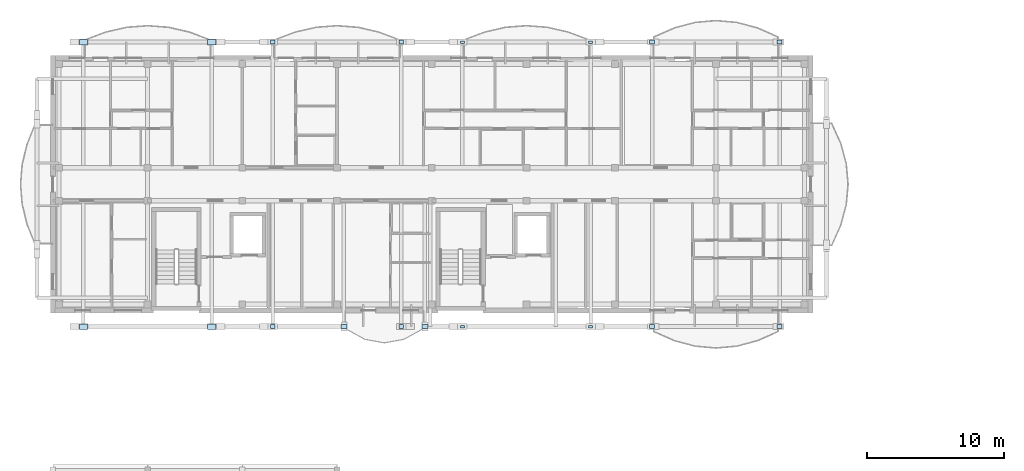
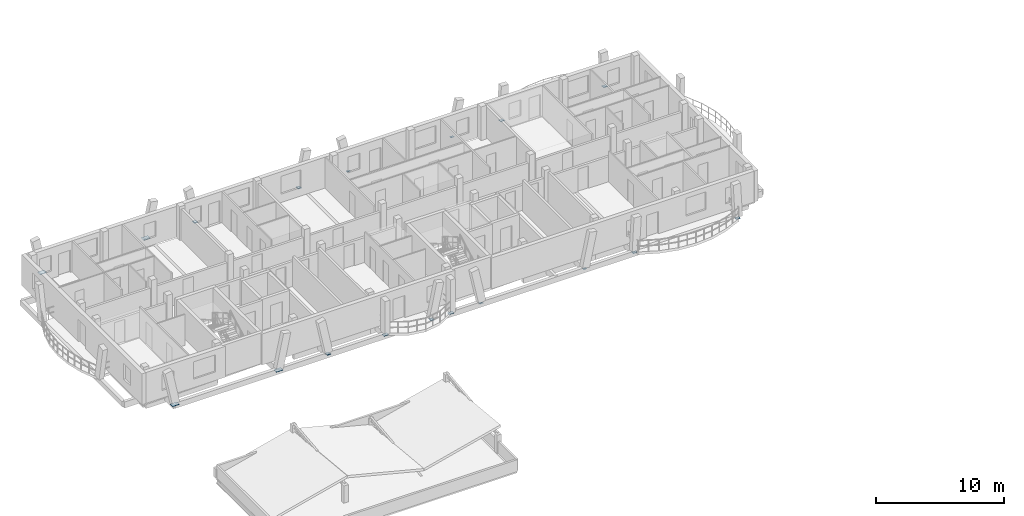
# One storey, part 13 of 50: 18 plates.
"""IFC4 building model written with IfcOpenShell, lengths in metres."""

from ifc_helpers import new_model, si_unit, direction, frame, origin, origin_2d, place, context, subcontext, project, spatial, rectangle, extrude, material, layer, layer_set, type_object, element, save


model = new_model("IFC4")

# Units and contexts
model_context = context("Model", 3, precision=1e-05, world=origin(), true_north=direction((0.0, 1.0)))
body_context = subcontext(model_context, "Body", "Model", "MODEL_VIEW")
ifc_project = project(units=[si_unit("LENGTHUNIT", "METRE"), si_unit("AREAUNIT", "SQUARE_METRE"), si_unit("VOLUMEUNIT", "CUBIC_METRE"), si_unit("PLANEANGLEUNIT", "RADIAN"), si_unit("MASSUNIT", "GRAM", prefix="KILO")], contexts=[model_context])

# Site, building, storey
site_placement = place(None, origin())
site = spatial("IfcSite", under=ifc_project, at=site_placement, CompositionType="ELEMENT")
building_placement = place(site_placement, origin())
building = spatial("IfcBuilding", under=site, at=building_placement, Name="Zavelmont Quarter", CompositionType="ELEMENT")
storey_placement = place(building_placement, frame((0.0, 0.0, 11.199951171875)))
storey = spatial("IfcBuildingStorey", under=building, at=storey_placement, Name="L03", CompositionType="ELEMENT", Elevation=11.199951171875)

# Plates
ifc_material = material(Name="Steel S355", Category="steel")
ifc_layer_1 = layer(ifc_material, 0.02001953125)
ifc_layer_set_1 = layer_set([ifc_layer_1], Name="Steel S355")
plate_type_1 = type_object("IfcPlateType", Name="NP01", PredefinedType="SHEET", material=ifc_layer_set_1)
for number, where, z_axis, x_axis, name in (
    (1, (29.827392578125, 117.162109375, -0.2099609375), (0.0, 0.0, 1.0), (1.0, 0.0, 0.0), "L03 steel connection plate NP01 at 5/S"),
    (2, (39.172607421875, 117.162109375, -0.2099609375), (0.0, 0.0, 1.0), (1.0, 0.0, 0.0), "L03 steel connection plate NP01 at 7/S"),
    (3, (29.827392578125, 96.43798828125, -0.2099609375), (0.0, 0.0, 1.0), (1.0, 0.0, 0.0), "L03 steel connection plate NP01 at 5/P"),
    (4, (39.172607421875, 96.43798828125, -0.2099609375), (0.0, 0.0, 1.0), (1.0, 0.0, 0.0), "L03 steel connection plate NP01 at 7/P"),
):
    element("IfcPlate", number, at=place(storey_placement, frame(where, z_axis=z_axis, x_axis=x_axis)), inside=storey, type_object=plate_type_1, Name=name, PredefinedType="SHEET", context=body_context, shape_type="SweptSolid", body=[
        extrude(rectangle(XDim=0.280029296875, YDim=0.179931640625, at=origin_2d()), origin(), (0.0, 0.0, 1.0), 0.02001953125),
    ])
ifc_layer_2 = layer(ifc_material, 0.02392578125)
ifc_layer_set_2 = layer_set([ifc_layer_2], Name="Steel S355")
plate_type_2 = type_object("IfcPlateType", Name="NP02", PredefinedType="SHEET", material=ifc_layer_set_2)
for number, where, z_axis, x_axis, name in (
    (5, (43.656982421875, 117.162109375, -0.2119140625), (0.0, 0.0, 1.0), (1.0, 0.0, 0.0), "L03 steel connection plate NP02 at 7/S"),
    (6, (52.943115234375, 117.162109375, -0.2119140625), (0.0, 0.0, 1.0), (1.0, 0.0, 0.0), "L03 steel connection plate NP02 at 9/S"),
    (7, (43.656982421875, 96.43798828125, -0.2119140625), (0.0, 0.0, 1.0), (1.0, 0.0, 0.0), "L03 steel connection plate NP02 at 7/P"),
    (8, (52.943115234375, 96.43798828125, -0.2119140625), (0.0, 0.0, 1.0), (1.0, 0.0, 0.0), "L03 steel connection plate NP02 at 9/P"),
):
    element("IfcPlate", number, at=place(storey_placement, frame(where, z_axis=z_axis, x_axis=x_axis)), inside=storey, type_object=plate_type_2, Name=name, PredefinedType="SHEET", context=body_context, shape_type="SweptSolid", body=[
        extrude(rectangle(XDim=0.360107421875, YDim=0.260009765625, at=origin_2d()), origin(), (0.0, 0.0, 1.0), 0.02392578125),
    ])
ifc_layer_3 = layer(ifc_material, 0.02490234375)
ifc_layer_set_3 = layer_set([ifc_layer_3], Name="Steel S355")
plate_type_3 = type_object("IfcPlateType", Name="NP03", PredefinedType="SHEET", material=ifc_layer_set_3)
for number, where, z_axis, x_axis, name in (
    (9, (21.199951171875, 96.43798828125, -0.21240234375), (0.0, 0.0, 1.0), (1.0, 0.0, 0.0), "L03 steel connection plate NP03 at 4/P"),
    (10, (27.10009765625, 96.43798828125, -0.21240234375), (0.0, 0.0, 1.0), (1.0, 0.0, 0.0), "L03 steel connection plate NP03 at 5/P"),
):
    element("IfcPlate", number, at=place(storey_placement, frame(where, z_axis=z_axis, x_axis=x_axis)), inside=storey, type_object=plate_type_3, Name=name, PredefinedType="SHEET", context=body_context, shape_type="SweptSolid", body=[
        extrude(rectangle(XDim=0.43994140625, YDim=0.320068359375, at=origin_2d()), origin(), (0.0, 0.0, 1.0), 0.02490234375),
    ])
ifc_layer_4 = layer(ifc_material, 0.030029296875)
ifc_layer_set_4 = layer_set([ifc_layer_4], Name="Steel S355")
plate_type_4 = type_object("IfcPlateType", Name="NP05", PredefinedType="SHEET", material=ifc_layer_set_4)
for number, where, z_axis, x_axis, name in (
    (11, (2.227294921875, 117.162109375, -0.21484375), (0.0, 0.0, 1.0), (1.0, 0.0, 0.0), "L03 steel connection plate NP05 at 1/S"),
    (12, (11.57275390625, 117.162109375, -0.21484375), (0.0, 0.0, 1.0), (1.0, 0.0, 0.0), "L03 steel connection plate NP05 at 3/S"),
    (13, (2.227294921875, 96.43798828125, -0.21484375), (0.0, 0.0, 1.0), (1.0, 0.0, 0.0), "L03 steel connection plate NP05 at 1/P"),
    (14, (11.57275390625, 96.43798828125, -0.21484375), (0.0, 0.0, 1.0), (1.0, 0.0, 0.0), "L03 steel connection plate NP05 at 3/P"),
):
    element("IfcPlate", number, at=place(storey_placement, frame(where, z_axis=z_axis, x_axis=x_axis)), inside=storey, type_object=plate_type_4, Name=name, PredefinedType="SHEET", context=body_context, shape_type="SweptSolid", body=[
        extrude(rectangle(XDim=0.60009765625, YDim=0.39990234375, at=origin_2d()), origin(), (0.0, 0.0, 1.0), 0.030029296875),
    ])
ifc_layer_5 = layer(ifc_material, 0.02197265625)
ifc_layer_set_5 = layer_set([ifc_layer_5], Name="Steel S355")
plate_type_5 = type_object("IfcPlateType", Name="NP06", PredefinedType="SHEET", material=ifc_layer_set_5)
for number, where, z_axis, x_axis, name in (
    (15, (16.02734375, 117.162109375, -0.2109375), (0.0, 0.0, 1.0), (1.0, 0.0, 0.0), "L03 steel connection plate NP06 at 3/S"),
    (16, (25.372802734375, 117.162109375, -0.2109375), (0.0, 0.0, 1.0), (1.0, 0.0, 0.0), "L03 steel connection plate NP06 at 5/S"),
    (17, (16.02734375, 96.43798828125, -0.2109375), (0.0, 0.0, 1.0), (1.0, 0.0, 0.0), "L03 steel connection plate NP06 at 3/P"),
    (18, (25.372802734375, 96.43798828125, -0.2109375), (0.0, 0.0, 1.0), (1.0, 0.0, 0.0), "L03 steel connection plate NP06 at 5/P"),
):
    element("IfcPlate", number, at=place(storey_placement, frame(where, z_axis=z_axis, x_axis=x_axis)), inside=storey, type_object=plate_type_5, Name=name, PredefinedType="SHEET", context=body_context, shape_type="SweptSolid", body=[
        extrude(rectangle(XDim=0.320068359375, YDim=0.320068359375, at=origin_2d()), origin(), (0.0, 0.0, 1.0), 0.02197265625),
    ])

save(model, "model.ifc")
